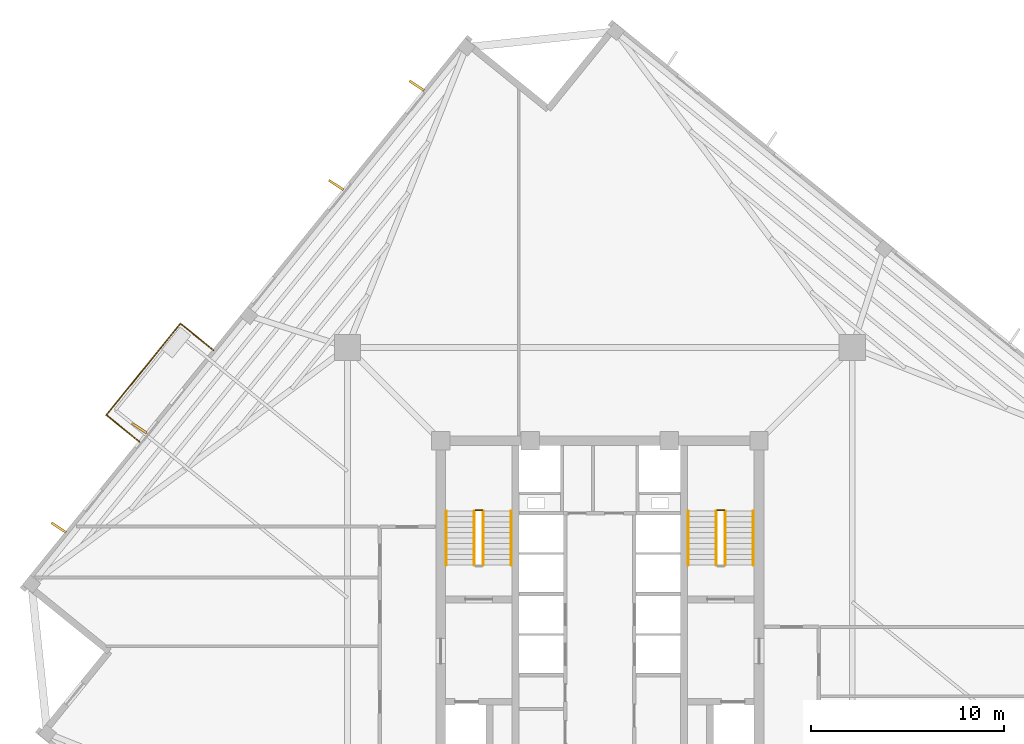
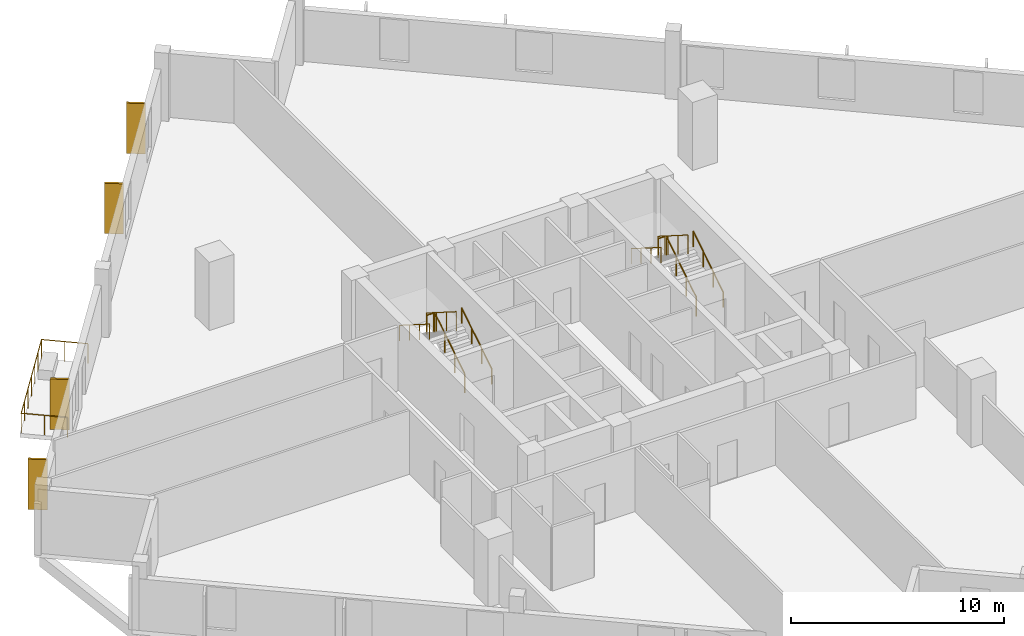
# One storey, part 8 of 9: 13 railings, 4 coverings.
"""IFC4 building model written with IfcOpenShell, lengths in metres."""

from ifc_helpers import new_model, si_unit, direction, frame, origin, origin_2d, place, context, subcontext, project, spatial, rectangle, circle, extrude, source, transform, mapped, material, layer, layer_set, type_object, element, save


model = new_model("IFC4")

# Units and contexts
model_context = context("Model", 3, precision=1e-05, world=origin(), true_north=direction((0.0, 1.0)))
body_context = subcontext(model_context, "Body", "Model", "MODEL_VIEW")
ifc_project = project(units=[si_unit("LENGTHUNIT", "METRE"), si_unit("AREAUNIT", "SQUARE_METRE"), si_unit("VOLUMEUNIT", "CUBIC_METRE"), si_unit("PLANEANGLEUNIT", "RADIAN"), si_unit("MASSUNIT", "GRAM", prefix="KILO"), si_unit("THERMODYNAMICTEMPERATUREUNIT", "KELVIN")], contexts=[model_context])

# Site, building, storey
site_placement = place(None, origin())
site = spatial("IfcSite", under=ifc_project, at=site_placement, CompositionType="ELEMENT")
building_placement = place(site_placement, origin())
building = spatial("IfcBuilding", under=site, at=building_placement, Name="Kosmvard Interchange Tower", CompositionType="ELEMENT")
storey_placement = place(building_placement, frame((0.0, 0.0, 221.199951171875)))
storey = spatial("IfcBuildingStorey", under=building, at=storey_placement, Name="L53", CompositionType="ELEMENT", Elevation=221.199951171875)

# Railings
ifc_material_1 = material(Name="Steel S355", Category="steel")
railing_type_1 = type_object("IfcRailingType", Name="Observation & Balcony Glass-Infill Balustrade 1150", PredefinedType="BALUSTRADE", material=ifc_material_1)
shared_shape_1 = source(origin(), body_context, "Body", "SweptSolid", [
    extrude(circle(Radius=0.02392578125, at=origin_2d()), frame((0.0, 0.0, 1.1259765625), z_axis=(0.777141488432, -0.629325914736, 0.0), x_axis=(0.629325914736, 0.777141488432, 0.0)), (0.0, 0.0, 1.0), 2.199951171875),
    extrude(circle(Radius=0.02099609375, at=origin_2d()), origin(), (0.0, 0.0, 1.0), 1.101806640625),
    extrude(circle(Radius=0.02099609375, at=origin_2d()), frame((0.85498046875, -0.6923828125, 0.0)), (0.0, 0.0, 1.0), 1.101806640625),
    extrude(circle(Radius=0.02099609375, at=origin_2d()), frame((1.709716796875, -1.384521484375, 0.0)), (0.0, 0.0, 1.0), 1.101806640625),
])
railing_1_placement = place(storey_placement, frame((-25.57177734375, 9.5771484375, 0.0)))
element("IfcRailing", 1, at=railing_1_placement, inside=storey, type_object=railing_type_1, Name="L53 Outdoor Terrace Guard BAL-L53-NE-C", PredefinedType="BALUSTRADE", context=body_context, shape_type="MappedRepresentation", body=[
    mapped(shared_shape_1, transform((0.0, 0.0, 0.0), scale=1.0)),
])
shared_shape_2 = source(origin(), body_context, "Body", "SweptSolid", [
    extrude(circle(Radius=0.02392578125, at=origin_2d()), frame((0.0, 0.0, 1.1259765625), z_axis=(-0.777141488432, 0.629325914736, 0.0), x_axis=(-0.629325914736, -0.777141488432, 0.0)), (0.0, 0.0, 1.0), 2.199951171875),
    extrude(circle(Radius=0.02099609375, at=origin_2d()), origin(), (0.0, 0.0, 1.0), 1.101806640625),
    extrude(circle(Radius=0.02099609375, at=origin_2d()), frame((-0.85498046875, 0.6923828125, 0.0)), (0.0, 0.0, 1.0), 1.101806640625),
    extrude(circle(Radius=0.02099609375, at=origin_2d()), frame((-1.709716796875, 1.384521484375, 0.0)), (0.0, 0.0, 1.0), 1.101806640625),
])
railing_2_placement = place(storey_placement, frame((-20.023193359375, 12.93310546875, 0.0)))
element("IfcRailing", 2, at=railing_2_placement, inside=storey, type_object=railing_type_1, Name="L53 Outdoor Terrace Guard BAL-L53-NE-A", PredefinedType="BALUSTRADE", context=body_context, shape_type="MappedRepresentation", body=[
    mapped(shared_shape_2, transform((0.0, 0.0, 0.0), scale=1.0)),
])

# Coverings
ifc_material_2 = material(Name="Architectural anodised aluminium", Category="aluminium")
ifc_layer = layer(ifc_material_2, 0.1201171875, Name="Architectural anodised aluminium")
ifc_layer_set = layer_set([ifc_layer], Name="Architectural anodised aluminium")
covering_type = type_object("IfcCoveringType", Name="Rotating Vertical Sun-Breaker Fin 900x120 Aluminium", PredefinedType="CLADDING", material=ifc_layer_set)
shared_shape_3 = source(origin(), body_context, "Body", "SweptSolid", [
    extrude(rectangle(XDim=0.89990234375, YDim=0.1201171875, at=origin_2d()), origin(), (0.0, 0.0, 1.0), 2.8798828125),
])
for number, where, z_axis, x_axis, name in (
    (3, (-9.494384765625, 26.650146484375, 0.0400390625), (0.0, 0.0, 1.0), (-0.835135979853, 0.550043539327, 0.0), "L53 Rotating Vertical Sun-Breaker Fin 09"),
    (4, (-13.66748046875, 21.49658203125, 0.0400390625), (0.0, 0.0, 1.0), (-0.835135979853, 0.550043539327, 0.0), "L53 Rotating Vertical Sun-Breaker Fin 10"),
    (5, (-23.86865234375, 8.8994140625, 0.0400390625), (0.0, 0.0, 1.0), (-0.835135979853, 0.550043539327, 0.0), "L53 Rotating Vertical Sun-Breaker Fin 11"),
    (6, (-28.041748046875, 3.74609375, 0.0400390625), (0.0, 0.0, 1.0), (-0.835135979853, 0.550043539327, 0.0), "L53 Rotating Vertical Sun-Breaker Fin 12"),
):
    element("IfcCovering", number, at=place(storey_placement, frame(where, z_axis=z_axis, x_axis=x_axis)), inside=storey, type_object=covering_type, Name=name, PredefinedType="CLADDING", context=body_context, shape_type="MappedRepresentation", body=[
        mapped(shared_shape_3, transform((0.0, 0.0, 0.0), scale=1.0)),
    ])

# Railings
shared_shape_4 = source(origin(), body_context, "Body", "SweptSolid", [
    extrude(circle(Radius=0.02392578125, at=origin_2d()), frame((0.0, 0.0, 1.1259765625), z_axis=(-0.629330626282, -0.777137673017, 0.0), x_axis=(0.777137673017, -0.629330626282, 0.0)), (0.0, 0.0, 1.0), 6.099853515625),
    extrude(circle(Radius=0.02099609375, at=origin_2d()), origin(), (0.0, 0.0, 1.0), 1.101806640625),
    extrude(circle(Radius=0.02099609375, at=origin_2d()), frame((-0.639892578125, -0.7900390625, 0.0)), (0.0, 0.0, 1.0), 1.101806640625),
    extrude(circle(Radius=0.02099609375, at=origin_2d()), frame((-1.279541015625, -1.580078125, 0.0)), (0.0, 0.0, 1.0), 1.101806640625),
    extrude(circle(Radius=0.02099609375, at=origin_2d()), frame((-1.91943359375, -2.3701171875, 0.0)), (0.0, 0.0, 1.0), 1.101806640625),
    extrude(circle(Radius=0.02099609375, at=origin_2d()), frame((-2.559326171875, -3.160400390625, 0.0)), (0.0, 0.0, 1.0), 1.101806640625),
    extrude(circle(Radius=0.02099609375, at=origin_2d()), frame((-3.198974609375, -3.950439453125, 0.0)), (0.0, 0.0, 1.0), 1.101806640625),
    extrude(circle(Radius=0.02099609375, at=origin_2d()), frame((-3.8388671875, -4.740478515625, 0.0)), (0.0, 0.0, 1.0), 1.101806640625),
])
railing_3_placement = place(storey_placement, frame((-21.73291015625, 14.317626953125, 0.0)))
element("IfcRailing", 7, at=railing_3_placement, inside=storey, type_object=railing_type_1, Name="L53 Outdoor Terrace Guard BAL-L53-NE-B", PredefinedType="BALUSTRADE", context=body_context, shape_type="MappedRepresentation", body=[
    mapped(shared_shape_4, transform((0.0, 0.0, 0.0), scale=1.0)),
])
railing_type_2 = type_object("IfcRailingType", Name="Stair & Terrace Safety Guardrail 1100 Steel", PredefinedType="GUARDRAIL", material=ifc_material_1)
shared_shape_5 = source(origin(), body_context, "Body", "SweptSolid", [
    extrude(circle(Radius=0.02392578125, at=origin_2d()), frame((0.0, 0.0, 1.076171875), z_axis=(-1.0, 0.0, 0.0), x_axis=(0.0, -1.0, 0.0)), (0.0, 0.0, 1.0), 0.35986328125),
    extrude(circle(Radius=0.02099609375, at=origin_2d()), origin(), (0.0, 0.0, 1.0), 1.052001953125),
    extrude(circle(Radius=0.02099609375, at=origin_2d()), frame((-0.35986328125, 0.0, 0.0)), (0.0, 0.0, 1.0), 1.052001953125),
])
for number, where, name in (
    (8, (-6.090087890625, 4.64990234375, 1.949951171875), "L53 ST-1 stair guard 2"),
    (9, (6.449951171875, 4.64990234375, 1.949951171875), "L53 ST-2 stair guard 2"),
):
    element("IfcRailing", number, at=place(storey_placement, frame(where)), inside=storey, type_object=railing_type_2, Name=name, PredefinedType="GUARDRAIL", context=body_context, shape_type="MappedRepresentation", body=[
        mapped(shared_shape_5, transform((0.0, 0.0, 0.0), scale=1.0)),
    ])
shared_shape_6 = source(origin(), body_context, "Body", "SweptSolid", [
    extrude(circle(Radius=0.02392578125, at=origin_2d()), frame((0.0, 0.0, 1.076171875), z_axis=(0.0, 0.844908973607, 0.534910110503), x_axis=(-1.0, 0.0, 0.0)), (0.0, 0.0, 1.0), 3.31396484375),
    extrude(circle(Radius=0.02099609375, at=origin_2d()), origin(), (0.0, 0.0, 1.0), 1.052001953125),
    extrude(circle(Radius=0.02099609375, at=origin_2d()), frame((0.0, 0.933349609375, 0.5908203125)), (0.0, 0.0, 1.0), 1.052001953125),
    extrude(circle(Radius=0.02099609375, at=origin_2d()), frame((0.0, 1.86669921875, 1.181884765625)), (0.0, 0.0, 1.0), 1.052001953125),
    extrude(circle(Radius=0.02099609375, at=origin_2d()), frame((0.0, 2.800048828125, 1.772705078125)), (0.0, 0.0, 1.0), 1.052001953125),
])
for number, where, name in (
    (10, (-6.0400390625, 1.800048828125, 0.17724609375), "L53 ST-1 stair guard 1"),
    (11, (6.5, 1.800048828125, 0.17724609375), "L53 ST-2 stair guard 1"),
):
    element("IfcRailing", number, at=place(storey_placement, frame(where)), inside=storey, type_object=railing_type_2, Name=name, PredefinedType="GUARDRAIL", context=body_context, shape_type="MappedRepresentation", body=[
        mapped(shared_shape_6, transform((0.0, 0.0, 0.0), scale=1.0)),
    ])
shared_shape_7 = source(origin(), body_context, "Body", "SweptSolid", [
    extrude(circle(Radius=0.02392578125, at=origin_2d()), frame((0.0, 0.0, 1.076171875), z_axis=(0.0, -0.844908973607, 0.534910110503), x_axis=(1.0, 0.0, 0.0)), (0.0, 0.0, 1.0), 3.31396484375),
    extrude(circle(Radius=0.02099609375, at=origin_2d()), origin(), (0.0, 0.0, 1.0), 1.052001953125),
    extrude(circle(Radius=0.02099609375, at=origin_2d()), frame((0.0, -0.933349609375, 0.5908203125)), (0.0, 0.0, 1.0), 1.052001953125),
    extrude(circle(Radius=0.02099609375, at=origin_2d()), frame((0.0, -1.86669921875, 1.181884765625)), (0.0, 0.0, 1.0), 1.052001953125),
    extrude(circle(Radius=0.02099609375, at=origin_2d()), frame((0.0, -2.800048828125, 1.772705078125)), (0.0, 0.0, 1.0), 1.052001953125),
])
for number, where, name in (
    (12, (-6.5, 4.60009765625, 2.12744140625), "L53 ST-1 stair guard 3"),
    (13, (6.0400390625, 4.60009765625, 2.12744140625), "L53 ST-2 stair guard 3"),
):
    element("IfcRailing", number, at=place(storey_placement, frame(where)), inside=storey, type_object=railing_type_2, Name=name, PredefinedType="GUARDRAIL", context=body_context, shape_type="MappedRepresentation", body=[
        mapped(shared_shape_7, transform((0.0, 0.0, 0.0), scale=1.0)),
    ])
railing_type_3 = type_object("IfcRailingType", Name="Wall-Mounted Stair Handrail 900 Steel", PredefinedType="HANDRAIL", material=ifc_material_1)
shared_shape_8 = source(origin(), body_context, "Body", "SweptSolid", [
    extrude(circle(Radius=0.02392578125, at=origin_2d()), frame((0.0, 0.0, 0.8759765625), z_axis=(0.0, 0.844908973607, 0.534910110503), x_axis=(-1.0, 0.0, 0.0)), (0.0, 0.0, 1.0), 3.31396484375),
    extrude(circle(Radius=0.02099609375, at=origin_2d()), origin(), (0.0, 0.0, 1.0), 0.851806640625),
    extrude(circle(Radius=0.02099609375, at=origin_2d()), frame((0.0, 0.933349609375, 0.5908203125)), (0.0, 0.0, 1.0), 0.851806640625),
    extrude(circle(Radius=0.02099609375, at=origin_2d()), frame((0.0, 1.86669921875, 1.181884765625)), (0.0, 0.0, 1.0), 0.851806640625),
    extrude(circle(Radius=0.02099609375, at=origin_2d()), frame((0.0, 2.800048828125, 1.772705078125)), (0.0, 0.0, 1.0), 0.851806640625),
])
for number, where, name in (
    (14, (-4.590087890625, 1.800048828125, 0.17724609375), "L53 ST-1 stair handrail 1"),
    (15, (7.949951171875, 1.800048828125, 0.17724609375), "L53 ST-2 stair handrail 1"),
):
    element("IfcRailing", number, at=place(storey_placement, frame(where)), inside=storey, type_object=railing_type_3, Name=name, PredefinedType="HANDRAIL", context=body_context, shape_type="MappedRepresentation", body=[
        mapped(shared_shape_8, transform((0.0, 0.0, 0.0), scale=1.0)),
    ])
shared_shape_9 = source(origin(), body_context, "Body", "SweptSolid", [
    extrude(circle(Radius=0.02392578125, at=origin_2d()), frame((0.0, 0.0, 0.8759765625), z_axis=(0.0, -0.844908973607, 0.534910110503), x_axis=(1.0, 0.0, 0.0)), (0.0, 0.0, 1.0), 3.31396484375),
    extrude(circle(Radius=0.02099609375, at=origin_2d()), origin(), (0.0, 0.0, 1.0), 0.851806640625),
    extrude(circle(Radius=0.02099609375, at=origin_2d()), frame((0.0, -0.933349609375, 0.5908203125)), (0.0, 0.0, 1.0), 0.851806640625),
    extrude(circle(Radius=0.02099609375, at=origin_2d()), frame((0.0, -1.86669921875, 1.181884765625)), (0.0, 0.0, 1.0), 0.851806640625),
    extrude(circle(Radius=0.02099609375, at=origin_2d()), frame((0.0, -2.800048828125, 1.772705078125)), (0.0, 0.0, 1.0), 0.851806640625),
])
for number, where, name in (
    (16, (-7.949951171875, 4.60009765625, 2.12744140625), "L53 ST-1 stair handrail 2"),
    (17, (4.590087890625, 4.60009765625, 2.12744140625), "L53 ST-2 stair handrail 2"),
):
    element("IfcRailing", number, at=place(storey_placement, frame(where)), inside=storey, type_object=railing_type_3, Name=name, PredefinedType="HANDRAIL", context=body_context, shape_type="MappedRepresentation", body=[
        mapped(shared_shape_9, transform((0.0, 0.0, 0.0), scale=1.0)),
    ])

save(model, "model.ifc")
